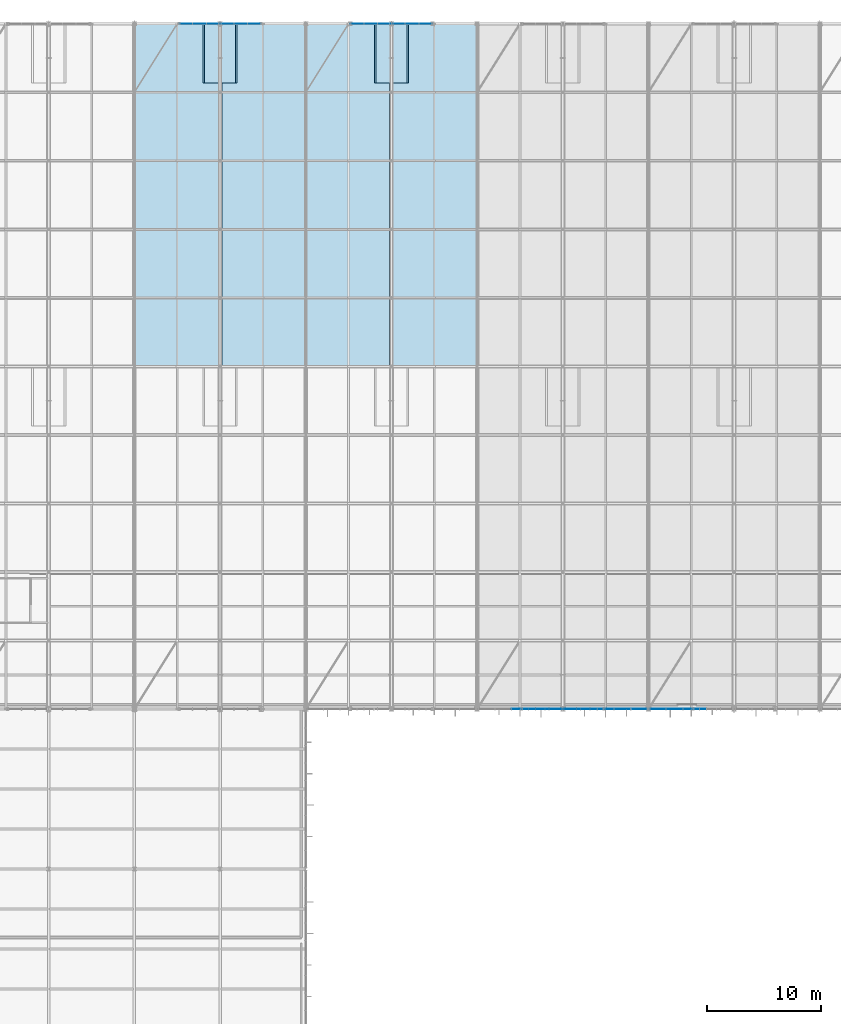
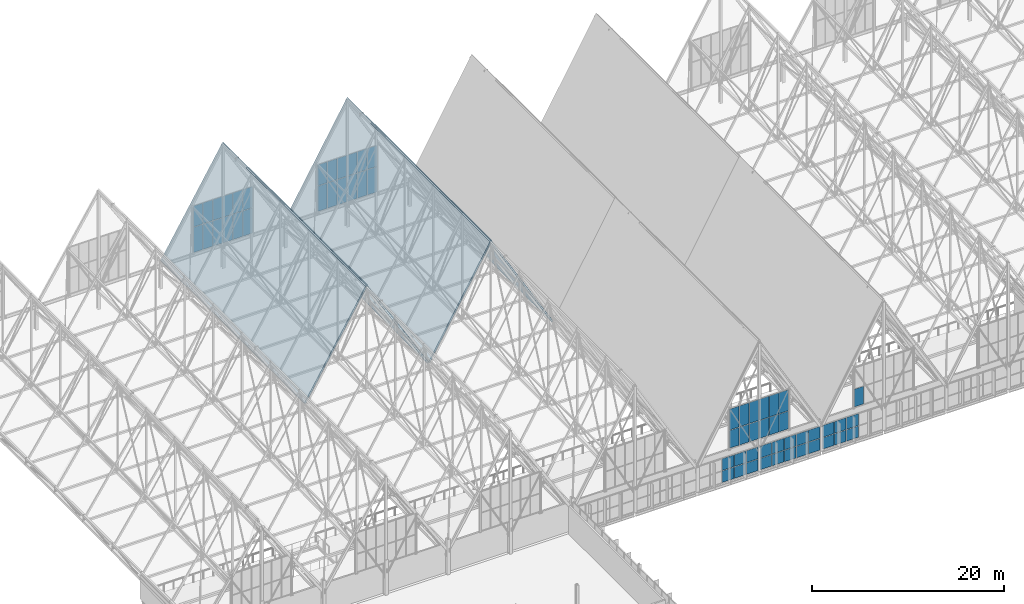
# One storey, part 275 of 324: 63 plates, 4 slabs, 7 elements without a shape of their own.
"""IFC4 building model written with IfcOpenShell, lengths in metres."""

import ifcopenshell
import ifcopenshell.guid

model = None  # the IFC model being written
_history = None  # IfcOwnerHistory: only IFC2X3 demands one
_inside = {}  # id of a spatial element -> (the spatial element, [elements in it])
_under = {}  # id of a project, library or spatial element -> (it, [spatial elements below it])
_declared = {}  # id of a project -> (the project, [libraries it declares])
_typed = {}  # id of a type object -> (the type object, [elements of that type])
_made_of = {}  # id of a material, layer set ... -> (it, [elements and type objects made of it])


def new_model(schema):
    """Start an empty IFC model of exactly this schema.

    Asked for "IFC4X3", IfcOpenShell would pick the latest addendum, in which some entities
    have other attributes; the version numbers below select the first issue.
    IFC2X3 requires an IfcOwnerHistory on every rooted entity: one is made here for all.
    """
    global model, _history
    if schema == "IFC4X3":
        model = ifcopenshell.file(schema_version=(4, 3, 0, 0))
    else:
        model = ifcopenshell.file(schema=schema)
    _inside.clear()
    _under.clear()
    _declared.clear()
    _typed.clear()
    _made_of.clear()
    _history = None
    if model.schema == "IFC2X3":
        org = make("IfcOrganization", Name="unknown")
        user = make(
            "IfcPersonAndOrganization",
            ThePerson=make("IfcPerson", FamilyName="unknown"),
            TheOrganization=org,
        )
        app = make(
            "IfcApplication",
            ApplicationDeveloper=org,
            Version="unknown",
            ApplicationFullName="unknown",
            ApplicationIdentifier="unknown",
        )
        _history = make(
            "IfcOwnerHistory",
            OwningUser=user,
            OwningApplication=app,
            ChangeAction="ADDED",
            CreationDate=0,
        )
    return model


def make(cls, **values):
    """One entity of the class cls with the attributes given. An attribute that is None is left unset."""
    return model.create_entity(
        cls, **{name: value for name, value in values.items() if value is not None}
    )


def rooted(cls, **values):
    """An entity with a GlobalId (a new one), such as an element, a storey or a relation."""
    return make(cls, GlobalId=ifcopenshell.guid.new(), OwnerHistory=_history, **values)


def si_unit(unit_type, name, prefix=None):
    """IfcSIUnit, for example si_unit("LENGTHUNIT", "METRE", prefix="MILLI")."""
    return make("IfcSIUnit", UnitType=unit_type, Prefix=prefix, Name=name)


def assignment(units):
    """IfcUnitAssignment: the units of a project."""
    return None if units is None else make("IfcUnitAssignment", Units=units)


def point(xyz):
    """IfcCartesianPoint."""
    return None if xyz is None else make("IfcCartesianPoint", Coordinates=xyz)


def direction(xyz):
    """IfcDirection."""
    return None if xyz is None else make("IfcDirection", DirectionRatios=xyz)


def frame(location, z_axis=None, x_axis=None):
    """IfcAxis2Placement3D, a coordinate frame: its origin and axes. An axis left out is left unset."""
    return make(
        "IfcAxis2Placement3D",
        Location=point(location),
        Axis=direction(z_axis),
        RefDirection=direction(x_axis),
    )


def frame_2d(location, x_axis=None):
    """IfcAxis2Placement2D, a coordinate frame in the plane: its origin and x axis."""
    return make(
        "IfcAxis2Placement2D", Location=point(location), RefDirection=direction(x_axis)
    )


def origin():
    """The frame at (0, 0, 0) with its axes left unset."""
    return frame((0.0, 0.0, 0.0))


def origin_2d():
    """The frame at (0, 0) in the plane with its x axis left unset."""
    return frame_2d((0.0, 0.0))


def place(relative_to, where):
    """IfcLocalPlacement: puts the frame where relative to a parent placement (None: the world)."""
    return make(
        "IfcLocalPlacement", PlacementRelTo=relative_to, RelativePlacement=where
    )


def context(
    kind, dimensions, precision=None, world=None, true_north=None, identifier=None
):
    """IfcGeometricRepresentationContext, for example the 3D "Model" context."""
    return make(
        "IfcGeometricRepresentationContext",
        ContextIdentifier=identifier,
        ContextType=kind,
        CoordinateSpaceDimension=dimensions,
        Precision=precision,
        WorldCoordinateSystem=world,
        TrueNorth=true_north,
    )


def subcontext(parent, identifier, kind, view, scale=None):
    """IfcGeometricRepresentationSubContext, for example "Body" below "Model"."""
    return make(
        "IfcGeometricRepresentationSubContext",
        ContextIdentifier=identifier,
        ContextType=kind,
        ParentContext=parent,
        TargetScale=scale,
        TargetView=view,
    )


def project(units=None, contexts=None):
    """IfcProject with its units and contexts."""
    return rooted(
        "IfcProject",
        Name="project",
        RepresentationContexts=contexts,
        UnitsInContext=assignment(units),
    )


def spatial(cls, under=None, at=None, **own):
    """A site, building, storey or space (cls), placed at a placement, below another one or the project."""
    s = rooted(cls, ObjectPlacement=at, **own)
    if under is not None:
        _under.setdefault(under.id(), (under, []))[1].append(s)
    return s


def polyline(points):
    """IfcPolyline through the points."""
    return make("IfcPolyline", Points=[point(p) for p in points])


def profile(cls, at=None, kind="AREA", **sizes):
    """A parametric profile (cls). Its sizes go by their IFC names, for example OverallWidth=200.0."""
    return make(cls, ProfileType=kind, Position=at, **sizes)


def rectangle(**sizes):
    """IfcRectangleProfileDef."""
    return profile("IfcRectangleProfileDef", **sizes)


def outline(outer, holes=None, kind="AREA"):
    """IfcArbitraryClosedProfileDef: a profile drawn as a closed curve; with holes, ...WithVoids."""
    if holes is None:
        return make("IfcArbitraryClosedProfileDef", ProfileType=kind, OuterCurve=outer)
    return make(
        "IfcArbitraryProfileDefWithVoids",
        ProfileType=kind,
        OuterCurve=outer,
        InnerCurves=holes,
    )


def extrude(swept, where, along, depth):
    """IfcExtrudedAreaSolid: the profile swept, set in the frame where, extruded along a direction by depth."""
    return make(
        "IfcExtrudedAreaSolid",
        SweptArea=swept,
        Position=where,
        ExtrudedDirection=direction(along),
        Depth=depth,
    )


def shape(context_of_items, identifier, shape_type, items):
    """IfcShapeRepresentation: the items that make up one representation, for example the "Body"."""
    return make(
        "IfcShapeRepresentation",
        ContextOfItems=context_of_items,
        RepresentationIdentifier=identifier,
        RepresentationType=shape_type,
        Items=items,
    )


def material(Name=None, Category=None):
    """IfcMaterial."""
    return make("IfcMaterial", Name=Name, Category=Category)


def layer(
    of_material, thickness, ventilated=None, Name=None, Category=None, Priority=None
):
    """IfcMaterialLayer: one layer of a wall or slab, of a material (None: an air gap)."""
    return make(
        "IfcMaterialLayer",
        Material=of_material,
        LayerThickness=thickness,
        IsVentilated=ventilated,
        Name=Name,
        Category=Category,
        Priority=Priority,
    )


def layer_set(layers, Name=None):
    """IfcMaterialLayerSet."""
    return make("IfcMaterialLayerSet", MaterialLayers=layers, LayerSetName=Name)


def made_of(thing, what):
    """Note that an element or type object is made of a material, layer set ...; save() writes the relation."""
    if what is not None:
        _made_of.setdefault(what.id(), (what, []))[1].append(thing)
    return thing


def type_object(cls, material=None, **own):
    """A type object (cls), such as IfcWallType, which elements share."""
    return made_of(rooted(cls, **own), material)


def element(
    cls,
    number,
    at=None,
    inside=None,
    cuts=None,
    type_object=None,
    material=None,
    context=None,
    identifier="Body",
    shape_type=None,
    held_by="IfcProductDefinitionShape",
    body=None,
    shapes=None,
    **own,
):
    """One element of the class cls, such as IfcWall. Its Tag is "e" and its number.

    at: its placement. inside: the storey or other place that contains it. cuts: it is an
    opening in that element (IfcRelVoidsElement). A single representation is given by context,
    identifier, shape_type and body (its items); several are given by shapes. held_by: the class
    of the entity that holds the representations. save() writes the other relations.
    """
    e = rooted(cls, Tag="e%d" % number, ObjectPlacement=at, **own)
    if body is not None:
        shapes = [shape(context, identifier, shape_type, body)]
    if shapes is not None:
        e.Representation = make(held_by, Representations=shapes)
    if inside is not None:
        _inside.setdefault(inside.id(), (inside, []))[1].append(e)
    if cuts is not None:
        rooted(
            "IfcRelVoidsElement", RelatingBuildingElement=cuts, RelatedOpeningElement=e
        )
    if type_object is not None:
        _typed.setdefault(type_object.id(), (type_object, []))[1].append(e)
    return made_of(e, material)


def aggregate(whole, parts):
    """IfcRelAggregates: a whole, such as a stair, and the parts it consists of."""
    return rooted("IfcRelAggregates", RelatingObject=whole, RelatedObjects=parts)


def save(model, path):
    """Write the relations noted so far, then the file.

    IfcRelAggregates (storeys below a building ...), IfcRelContainedInSpatialStructure (elements
    in a storey), IfcRelDefinesByType, IfcRelAssociatesMaterial and IfcRelDeclares: one each for
    every whole, place, type object, material and project.
    """
    for whole, parts in _under.values():
        aggregate(whole, parts)
    for where, things in _inside.values():
        rooted(
            "IfcRelContainedInSpatialStructure",
            RelatedElements=things,
            RelatingStructure=where,
        )
    for kind, things in _typed.values():
        rooted("IfcRelDefinesByType", RelatedObjects=things, RelatingType=kind)
    for what, things in _made_of.values():
        rooted("IfcRelAssociatesMaterial", RelatedObjects=things, RelatingMaterial=what)
    for by, libraries in _declared.values():
        rooted("IfcRelDeclares", RelatingContext=by, RelatedDefinitions=libraries)
    model.write(path)


model = new_model("IFC4")

# Units and contexts
model_context = context("Model", 3, precision=1e-05, world=origin(), true_north=direction((0.0, 1.0)))
body_context = subcontext(model_context, "Body", "Model", "MODEL_VIEW")
ifc_project = project(units=[si_unit("LENGTHUNIT", "METRE"), si_unit("AREAUNIT", "SQUARE_METRE"), si_unit("VOLUMEUNIT", "CUBIC_METRE"), si_unit("PLANEANGLEUNIT", "RADIAN"), si_unit("MASSUNIT", "GRAM", prefix="KILO")], contexts=[model_context])

# Site, building, storey
site_placement = place(None, origin())
site = spatial("IfcSite", under=ifc_project, at=site_placement, CompositionType="ELEMENT")
building_placement = place(site_placement, origin())
building = spatial("IfcBuilding", under=site, at=building_placement, Name="Solvenia Promenade Tram Depot", CompositionType="ELEMENT")
storey_placement = place(building_placement, frame((0.0, 0.0, 4.5)))
storey = spatial("IfcBuildingStorey", under=building, at=storey_placement, Name="L01", CompositionType="ELEMENT", Elevation=4.5)

# Curtain wall, plates
ifc_material_1 = material(Name="Anodized aluminium AW-6063 T6", Category="aluminium")
ifc_layer_1 = layer(ifc_material_1, 0.159912109375, Name="Anodized aluminium AW-6063 T6", Category="aluminium")
ifc_layer_set_1 = layer_set([ifc_layer_1], Name="Anodized aluminium AW-6063 T6")
curtain_wall_type_1 = type_object("IfcCurtainWallType", Name="CW-Channel-1500", PredefinedType="NOTDEFINED", material=ifc_layer_set_1)
curtain_wall_1_placement = place(storey_placement, origin())
curtain_wall_1 = element("IfcCurtainWall", 1, at=curtain_wall_1_placement, inside=storey, type_object=curtain_wall_type_1, Name="Curtain Wall CW-V1S1-03", PredefinedType="NOTDEFINED")
ifc_material_2 = material(Name="Low-iron translucent U-profile channel glass", Category="glass")
ifc_layer_2 = layer(ifc_material_2, 0.028076171875, Name="Low-iron translucent U-profile channel glass", Category="glass")
ifc_layer_set_2 = layer_set([ifc_layer_2], Name="Low-iron translucent U-profile channel glass")
plate_type_1 = type_object("IfcPlateType", Name="CWP-Panel-1", PredefinedType="CURTAIN_PANEL", material=ifc_layer_set_2)
plate_1_placement = place(storey_placement, frame((63.75, 66.0, 0.06494140625), z_axis=(0.0, 0.0, 1.0), x_axis=(1.0, 0.0, 0.0)))
plate_1 = element("IfcPlate", 2, at=plate_1_placement, type_object=plate_type_1, Name="CW-2 panel 3.1", PredefinedType="CURTAIN_PANEL", context=body_context, shape_type="SweptSolid", body=[
    extrude(rectangle(XDim=1.41796875, YDim=0.028076171875, at=origin_2d()), origin(), (0.0, 0.0, 1.0), 1.452392578125),
])
plate_2_placement = place(storey_placement, frame((63.75, 66.0, 1.58251953125), z_axis=(0.0, 0.0, 1.0), x_axis=(1.0, 0.0, 0.0)))
plate_2 = element("IfcPlate", 3, at=plate_2_placement, type_object=plate_type_1, Name="CW-2 panel 3.2", PredefinedType="CURTAIN_PANEL", context=body_context, shape_type="SweptSolid", body=[
    extrude(rectangle(XDim=1.41796875, YDim=0.028076171875, at=origin_2d()), origin(), (0.0, 0.0, 1.0), 1.50244140625),
])
plate_3_placement = place(storey_placement, frame((65.218017578125, 66.0, 0.06494140625), z_axis=(0.0, 0.0, 1.0), x_axis=(1.0, 0.0, 0.0)))
plate_3 = element("IfcPlate", 4, at=plate_3_placement, type_object=plate_type_1, Name="CW-2 panel 4.1", PredefinedType="CURTAIN_PANEL", context=body_context, shape_type="SweptSolid", body=[
    extrude(rectangle(XDim=1.41796875, YDim=0.028076171875, at=origin_2d()), origin(), (0.0, 0.0, 1.0), 1.452392578125),
])
plate_4_placement = place(storey_placement, frame((65.218017578125, 66.0, 1.58251953125), z_axis=(0.0, 0.0, 1.0), x_axis=(1.0, 0.0, 0.0)))
plate_4 = element("IfcPlate", 5, at=plate_4_placement, type_object=plate_type_1, Name="CW-2 panel 4.2", PredefinedType="CURTAIN_PANEL", context=body_context, shape_type="SweptSolid", body=[
    extrude(rectangle(XDim=1.41796875, YDim=0.028076171875, at=origin_2d()), origin(), (0.0, 0.0, 1.0), 1.50244140625),
])
plate_5_placement = place(storey_placement, frame((66.673583984375, 66.0, 0.06494140625), z_axis=(0.0, 0.0, 1.0), x_axis=(1.0, 0.0, 0.0)))
plate_5 = element("IfcPlate", 6, at=plate_5_placement, type_object=plate_type_1, Name="CW-2 panel 5.1", PredefinedType="CURTAIN_PANEL", context=body_context, shape_type="SweptSolid", body=[
    extrude(rectangle(XDim=1.39306640625, YDim=0.028076171875, at=origin_2d()), origin(), (0.0, 0.0, 1.0), 1.452392578125),
])
plate_6_placement = place(storey_placement, frame((66.673583984375, 66.0, 1.58251953125), z_axis=(0.0, 0.0, 1.0), x_axis=(1.0, 0.0, 0.0)))
plate_6 = element("IfcPlate", 7, at=plate_6_placement, type_object=plate_type_1, Name="CW-2 panel 5.2", PredefinedType="CURTAIN_PANEL", context=body_context, shape_type="SweptSolid", body=[
    extrude(rectangle(XDim=1.39306640625, YDim=0.028076171875, at=origin_2d()), origin(), (0.0, 0.0, 1.0), 1.50244140625),
])
aggregate(curtain_wall_1, [plate_1, plate_2, plate_3, plate_4, plate_5, plate_6])

curtain_wall_2_placement = place(storey_placement, origin())
curtain_wall_2 = element("IfcCurtainWall", 8, at=curtain_wall_2_placement, inside=storey, type_object=curtain_wall_type_1, Name="Curtain Wall CW-V1S1-04", PredefinedType="NOTDEFINED")
plate_7_placement = place(storey_placement, frame((68.326416015625, 66.0, 0.06494140625), z_axis=(0.0, 0.0, 1.0), x_axis=(1.0, 0.0, 0.0)))
plate_7 = element("IfcPlate", 9, at=plate_7_placement, type_object=plate_type_1, Name="CW-2 panel 1.1", PredefinedType="CURTAIN_PANEL", context=body_context, shape_type="SweptSolid", body=[
    extrude(rectangle(XDim=1.39306640625, YDim=0.028076171875, at=origin_2d()), origin(), (0.0, 0.0, 1.0), 1.452392578125),
])
plate_8_placement = place(storey_placement, frame((68.326416015625, 66.0, 1.58251953125), z_axis=(0.0, 0.0, 1.0), x_axis=(1.0, 0.0, 0.0)))
plate_8 = element("IfcPlate", 10, at=plate_8_placement, type_object=plate_type_1, Name="CW-2 panel 1.2", PredefinedType="CURTAIN_PANEL", context=body_context, shape_type="SweptSolid", body=[
    extrude(rectangle(XDim=1.39306640625, YDim=0.028076171875, at=origin_2d()), origin(), (0.0, 0.0, 1.0), 1.50244140625),
])
plate_9_placement = place(storey_placement, frame((69.781982421875, 66.0, 0.06494140625), z_axis=(0.0, 0.0, 1.0), x_axis=(1.0, 0.0, 0.0)))
plate_9 = element("IfcPlate", 11, at=plate_9_placement, type_object=plate_type_1, Name="CW-2 panel 2.1", PredefinedType="CURTAIN_PANEL", context=body_context, shape_type="SweptSolid", body=[
    extrude(rectangle(XDim=1.41796875, YDim=0.028076171875, at=origin_2d()), origin(), (0.0, 0.0, 1.0), 1.452392578125),
])
plate_10_placement = place(storey_placement, frame((69.781982421875, 66.0, 1.58251953125), z_axis=(0.0, 0.0, 1.0), x_axis=(1.0, 0.0, 0.0)))
plate_10 = element("IfcPlate", 12, at=plate_10_placement, type_object=plate_type_1, Name="CW-2 panel 2.2", PredefinedType="CURTAIN_PANEL", context=body_context, shape_type="SweptSolid", body=[
    extrude(rectangle(XDim=1.41796875, YDim=0.028076171875, at=origin_2d()), origin(), (0.0, 0.0, 1.0), 1.50244140625),
])
plate_11_placement = place(storey_placement, frame((71.25, 66.0, 0.06494140625), z_axis=(0.0, 0.0, 1.0), x_axis=(1.0, 0.0, 0.0)))
plate_11 = element("IfcPlate", 13, at=plate_11_placement, type_object=plate_type_1, Name="CW-2 panel 3.1", PredefinedType="CURTAIN_PANEL", context=body_context, shape_type="SweptSolid", body=[
    extrude(rectangle(XDim=1.41796875, YDim=0.028076171875, at=origin_2d()), origin(), (0.0, 0.0, 1.0), 1.452392578125),
])
plate_12_placement = place(storey_placement, frame((71.25, 66.0, 1.58251953125), z_axis=(0.0, 0.0, 1.0), x_axis=(1.0, 0.0, 0.0)))
plate_12 = element("IfcPlate", 14, at=plate_12_placement, type_object=plate_type_1, Name="CW-2 panel 3.2", PredefinedType="CURTAIN_PANEL", context=body_context, shape_type="SweptSolid", body=[
    extrude(rectangle(XDim=1.41796875, YDim=0.028076171875, at=origin_2d()), origin(), (0.0, 0.0, 1.0), 1.50244140625),
])
plate_13_placement = place(storey_placement, frame((72.718017578125, 66.0, 0.06494140625), z_axis=(0.0, 0.0, 1.0), x_axis=(1.0, 0.0, 0.0)))
plate_13 = element("IfcPlate", 15, at=plate_13_placement, type_object=plate_type_1, Name="CW-2 panel 4.1", PredefinedType="CURTAIN_PANEL", context=body_context, shape_type="SweptSolid", body=[
    extrude(rectangle(XDim=1.41796875, YDim=0.028076171875, at=origin_2d()), origin(), (0.0, 0.0, 1.0), 1.452392578125),
])
plate_14_placement = place(storey_placement, frame((72.718017578125, 66.0, 1.58251953125), z_axis=(0.0, 0.0, 1.0), x_axis=(1.0, 0.0, 0.0)))
plate_14 = element("IfcPlate", 16, at=plate_14_placement, type_object=plate_type_1, Name="CW-2 panel 4.2", PredefinedType="CURTAIN_PANEL", context=body_context, shape_type="SweptSolid", body=[
    extrude(rectangle(XDim=1.41796875, YDim=0.028076171875, at=origin_2d()), origin(), (0.0, 0.0, 1.0), 1.50244140625),
])
plate_15_placement = place(storey_placement, frame((74.173583984375, 66.0, 0.06494140625), z_axis=(0.0, 0.0, 1.0), x_axis=(1.0, 0.0, 0.0)))
plate_15 = element("IfcPlate", 17, at=plate_15_placement, type_object=plate_type_1, Name="CW-2 panel 5.1", PredefinedType="CURTAIN_PANEL", context=body_context, shape_type="SweptSolid", body=[
    extrude(rectangle(XDim=1.39306640625, YDim=0.028076171875, at=origin_2d()), origin(), (0.0, 0.0, 1.0), 1.452392578125),
])
plate_16_placement = place(storey_placement, frame((74.173583984375, 66.0, 1.58251953125), z_axis=(0.0, 0.0, 1.0), x_axis=(1.0, 0.0, 0.0)))
plate_16 = element("IfcPlate", 18, at=plate_16_placement, type_object=plate_type_1, Name="CW-2 panel 5.2", PredefinedType="CURTAIN_PANEL", context=body_context, shape_type="SweptSolid", body=[
    extrude(rectangle(XDim=1.39306640625, YDim=0.028076171875, at=origin_2d()), origin(), (0.0, 0.0, 1.0), 1.50244140625),
])
aggregate(curtain_wall_2, [plate_7, plate_8, plate_9, plate_10, plate_11, plate_12, plate_13, plate_14, plate_15, plate_16])

curtain_wall_3_placement = place(storey_placement, origin())
curtain_wall_3 = element("IfcCurtainWall", 19, at=curtain_wall_3_placement, inside=storey, type_object=curtain_wall_type_1, Name="Curtain Wall CW-V1S1-05", PredefinedType="NOTDEFINED")
plate_17_placement = place(storey_placement, frame((75.826416015625, 66.0, 0.06494140625), z_axis=(0.0, 0.0, 1.0), x_axis=(1.0, 0.0, 0.0)))
plate_17 = element("IfcPlate", 20, at=plate_17_placement, type_object=plate_type_1, Name="CW-2 panel 1.1", PredefinedType="CURTAIN_PANEL", context=body_context, shape_type="SweptSolid", body=[
    extrude(rectangle(XDim=1.39306640625, YDim=0.028076171875, at=origin_2d()), origin(), (0.0, 0.0, 1.0), 1.452392578125),
])
plate_18_placement = place(storey_placement, frame((75.826416015625, 66.0, 1.58251953125), z_axis=(0.0, 0.0, 1.0), x_axis=(1.0, 0.0, 0.0)))
plate_18 = element("IfcPlate", 21, at=plate_18_placement, type_object=plate_type_1, Name="CW-2 panel 1.2", PredefinedType="CURTAIN_PANEL", context=body_context, shape_type="SweptSolid", body=[
    extrude(rectangle(XDim=1.39306640625, YDim=0.028076171875, at=origin_2d()), origin(), (0.0, 0.0, 1.0), 1.50244140625),
])
plate_19_placement = place(storey_placement, frame((77.281982421875, 66.0, 0.06494140625), z_axis=(0.0, 0.0, 1.0), x_axis=(1.0, 0.0, 0.0)))
plate_19 = element("IfcPlate", 22, at=plate_19_placement, type_object=plate_type_1, Name="CW-2 panel 2.1", PredefinedType="CURTAIN_PANEL", context=body_context, shape_type="SweptSolid", body=[
    extrude(rectangle(XDim=1.41796875, YDim=0.028076171875, at=origin_2d()), origin(), (0.0, 0.0, 1.0), 1.452392578125),
])
plate_20_placement = place(storey_placement, frame((77.281982421875, 66.0, 1.58251953125), z_axis=(0.0, 0.0, 1.0), x_axis=(1.0, 0.0, 0.0)))
plate_20 = element("IfcPlate", 23, at=plate_20_placement, type_object=plate_type_1, Name="CW-2 panel 2.2", PredefinedType="CURTAIN_PANEL", context=body_context, shape_type="SweptSolid", body=[
    extrude(rectangle(XDim=1.41796875, YDim=0.028076171875, at=origin_2d()), origin(), (0.0, 0.0, 1.0), 1.50244140625),
])
plate_21_placement = place(storey_placement, frame((78.75, 66.0, 0.06494140625), z_axis=(0.0, 0.0, 1.0), x_axis=(1.0, 0.0, 0.0)))
plate_21 = element("IfcPlate", 24, at=plate_21_placement, type_object=plate_type_1, Name="CW-2 panel 3.1", PredefinedType="CURTAIN_PANEL", context=body_context, shape_type="SweptSolid", body=[
    extrude(rectangle(XDim=1.41796875, YDim=0.028076171875, at=origin_2d()), origin(), (0.0, 0.0, 1.0), 1.452392578125),
])
plate_22_placement = place(storey_placement, frame((78.75, 66.0, 1.58251953125), z_axis=(0.0, 0.0, 1.0), x_axis=(1.0, 0.0, 0.0)))
plate_22 = element("IfcPlate", 25, at=plate_22_placement, type_object=plate_type_1, Name="CW-2 panel 3.2", PredefinedType="CURTAIN_PANEL", context=body_context, shape_type="SweptSolid", body=[
    extrude(rectangle(XDim=1.41796875, YDim=0.028076171875, at=origin_2d()), origin(), (0.0, 0.0, 1.0), 1.50244140625),
])
aggregate(curtain_wall_3, [plate_17, plate_18, plate_19, plate_20, plate_21, plate_22])

ifc_layer_3 = layer(ifc_material_1, 0.14990234375, Name="Anodized aluminium AW-6063 T6", Category="aluminium")
ifc_layer_set_3 = layer_set([ifc_layer_3], Name="Anodized aluminium AW-6063 T6")
curtain_wall_type_2 = type_object("IfcCurtainWallType", Name="CW-Gable-1200", PredefinedType="NOTDEFINED", material=ifc_layer_set_3)
curtain_wall_4_placement = place(storey_placement, origin())
curtain_wall_4 = element("IfcCurtainWall", 26, at=curtain_wall_4_placement, inside=storey, type_object=curtain_wall_type_2, Name="South Zigzag Gable 05 Peak Glazing", PredefinedType="NOTDEFINED")
plate_23_placement = place(storey_placement, frame((64.511962890625, 66.0, 4.10791015625), z_axis=(0.0, 0.0, 1.0), x_axis=(1.0, 0.0, 0.0)))
plate_23 = element("IfcPlate", 27, at=plate_23_placement, type_object=plate_type_1, Name="CW-3 panel 1.1", PredefinedType="CURTAIN_PANEL", context=body_context, shape_type="SweptSolid", body=[
    extrude(rectangle(XDim=1.1279296875, YDim=0.028076171875, at=origin_2d()), origin(), (0.0, 0.0, 1.0), 2.262939453125),
])
plate_24_placement = place(storey_placement, frame((64.511962890625, 66.0, 6.428955078125), z_axis=(0.0, 0.0, 1.0), x_axis=(1.0, 0.0, 0.0)))
plate_24 = element("IfcPlate", 28, at=plate_24_placement, type_object=plate_type_1, Name="CW-3 panel 1.2", PredefinedType="CURTAIN_PANEL", context=body_context, shape_type="SweptSolid", body=[
    extrude(rectangle(XDim=1.1279296875, YDim=0.028076171875, at=origin_2d()), origin(), (0.0, 0.0, 1.0), 2.6630859375),
])
plate_25_placement = place(storey_placement, frame((65.699951171875, 66.0, 4.10791015625), z_axis=(0.0, 0.0, 1.0), x_axis=(1.0, 0.0, 0.0)))
plate_25 = element("IfcPlate", 29, at=plate_25_placement, type_object=plate_type_1, Name="CW-3 panel 2.1", PredefinedType="CURTAIN_PANEL", context=body_context, shape_type="SweptSolid", body=[
    extrude(rectangle(XDim=1.152099609375, YDim=0.028076171875, at=origin_2d()), origin(), (0.0, 0.0, 1.0), 2.262939453125),
])
plate_26_placement = place(storey_placement, frame((65.699951171875, 66.0, 6.428955078125), z_axis=(0.0, 0.0, 1.0), x_axis=(1.0, 0.0, 0.0)))
plate_26 = element("IfcPlate", 30, at=plate_26_placement, type_object=plate_type_1, Name="CW-3 panel 2.2", PredefinedType="CURTAIN_PANEL", context=body_context, shape_type="SweptSolid", body=[
    extrude(rectangle(XDim=1.152099609375, YDim=0.028076171875, at=origin_2d()), origin(), (0.0, 0.0, 1.0), 2.6630859375),
])
plate_27_placement = place(storey_placement, frame((66.89990234375, 66.0, 4.10791015625), z_axis=(0.0, 0.0, 1.0), x_axis=(1.0, 0.0, 0.0)))
plate_27 = element("IfcPlate", 31, at=plate_27_placement, type_object=plate_type_1, Name="CW-3 panel 3.1", PredefinedType="CURTAIN_PANEL", context=body_context, shape_type="SweptSolid", body=[
    extrude(rectangle(XDim=1.152099609375, YDim=0.028076171875, at=origin_2d()), origin(), (0.0, 0.0, 1.0), 2.262939453125),
])
plate_28_placement = place(storey_placement, frame((66.89990234375, 66.0, 6.428955078125), z_axis=(0.0, 0.0, 1.0), x_axis=(1.0, 0.0, 0.0)))
plate_28 = element("IfcPlate", 32, at=plate_28_placement, type_object=plate_type_1, Name="CW-3 panel 3.2", PredefinedType="CURTAIN_PANEL", context=body_context, shape_type="SweptSolid", body=[
    extrude(rectangle(XDim=1.152099609375, YDim=0.028076171875, at=origin_2d()), origin(), (0.0, 0.0, 1.0), 2.6630859375),
])
plate_29_placement = place(storey_placement, frame((68.10009765625, 66.0, 4.10791015625), z_axis=(0.0, 0.0, 1.0), x_axis=(1.0, 0.0, 0.0)))
plate_29 = element("IfcPlate", 33, at=plate_29_placement, type_object=plate_type_1, Name="CW-3 panel 4.1", PredefinedType="CURTAIN_PANEL", context=body_context, shape_type="SweptSolid", body=[
    extrude(rectangle(XDim=1.152099609375, YDim=0.028076171875, at=origin_2d()), origin(), (0.0, 0.0, 1.0), 2.262939453125),
])
plate_30_placement = place(storey_placement, frame((68.10009765625, 66.0, 6.428955078125), z_axis=(0.0, 0.0, 1.0), x_axis=(1.0, 0.0, 0.0)))
plate_30 = element("IfcPlate", 34, at=plate_30_placement, type_object=plate_type_1, Name="CW-3 panel 4.2", PredefinedType="CURTAIN_PANEL", context=body_context, shape_type="SweptSolid", body=[
    extrude(rectangle(XDim=1.152099609375, YDim=0.028076171875, at=origin_2d()), origin(), (0.0, 0.0, 1.0), 2.6630859375),
])
plate_31_placement = place(storey_placement, frame((69.300048828125, 66.0, 4.10791015625), z_axis=(0.0, 0.0, 1.0), x_axis=(1.0, 0.0, 0.0)))
plate_31 = element("IfcPlate", 35, at=plate_31_placement, type_object=plate_type_1, Name="CW-3 panel 5.1", PredefinedType="CURTAIN_PANEL", context=body_context, shape_type="SweptSolid", body=[
    extrude(rectangle(XDim=1.152099609375, YDim=0.028076171875, at=origin_2d()), origin(), (0.0, 0.0, 1.0), 2.262939453125),
])
plate_32_placement = place(storey_placement, frame((69.300048828125, 66.0, 6.428955078125), z_axis=(0.0, 0.0, 1.0), x_axis=(1.0, 0.0, 0.0)))
plate_32 = element("IfcPlate", 36, at=plate_32_placement, type_object=plate_type_1, Name="CW-3 panel 5.2", PredefinedType="CURTAIN_PANEL", context=body_context, shape_type="SweptSolid", body=[
    extrude(rectangle(XDim=1.152099609375, YDim=0.028076171875, at=origin_2d()), origin(), (0.0, 0.0, 1.0), 2.6630859375),
])
plate_33_placement = place(storey_placement, frame((70.488037109375, 66.0, 4.10791015625), z_axis=(0.0, 0.0, 1.0), x_axis=(1.0, 0.0, 0.0)))
plate_33 = element("IfcPlate", 37, at=plate_33_placement, type_object=plate_type_1, Name="CW-3 panel 6.1", PredefinedType="CURTAIN_PANEL", context=body_context, shape_type="SweptSolid", body=[
    extrude(rectangle(XDim=1.1279296875, YDim=0.028076171875, at=origin_2d()), origin(), (0.0, 0.0, 1.0), 2.262939453125),
])
plate_34_placement = place(storey_placement, frame((70.488037109375, 66.0, 6.428955078125), z_axis=(0.0, 0.0, 1.0), x_axis=(1.0, 0.0, 0.0)))
plate_34 = element("IfcPlate", 38, at=plate_34_placement, type_object=plate_type_1, Name="CW-3 panel 6.2", PredefinedType="CURTAIN_PANEL", context=body_context, shape_type="SweptSolid", body=[
    extrude(rectangle(XDim=1.1279296875, YDim=0.028076171875, at=origin_2d()), origin(), (0.0, 0.0, 1.0), 2.6630859375),
])
aggregate(curtain_wall_4, [plate_23, plate_24, plate_25, plate_26, plate_27, plate_28, plate_29, plate_30, plate_31, plate_32, plate_33, plate_34])

# Curtain wall, plate
curtain_wall_5_placement = place(storey_placement, origin())
curtain_wall_5 = element("IfcCurtainWall", 39, at=curtain_wall_5_placement, inside=storey, type_object=curtain_wall_type_2, Name="South Zigzag Gable 06 Peak Glazing", PredefinedType="NOTDEFINED")
plate_35_placement = place(storey_placement, frame((79.511962890625, 66.0, 4.10791015625), z_axis=(0.0, 0.0, 1.0), x_axis=(1.0, 0.0, 0.0)))
plate_35 = element("IfcPlate", 40, at=plate_35_placement, type_object=plate_type_1, Name="CW-3 panel 1.1", PredefinedType="CURTAIN_PANEL", context=body_context, shape_type="SweptSolid", body=[
    extrude(rectangle(XDim=1.1279296875, YDim=0.028076171875, at=origin_2d()), origin(), (0.0, 0.0, 1.0), 2.262939453125),
])
aggregate(curtain_wall_5, [plate_35])

# Curtain wall, plates
curtain_wall_6_placement = place(storey_placement, origin())
curtain_wall_6 = element("IfcCurtainWall", 41, at=curtain_wall_6_placement, inside=storey, type_object=curtain_wall_type_2, Name="North Zigzag Gable 03 Peak Glazing", PredefinedType="NOTDEFINED")
plate_36_placement = place(storey_placement, frame((34.511962890625, 126.0, 3.157958984375), z_axis=(0.0, 0.0, 1.0), x_axis=(1.0, 0.0, 0.0)))
plate_36 = element("IfcPlate", 42, at=plate_36_placement, type_object=plate_type_1, Name="CW-3 panel 1.1", PredefinedType="CURTAIN_PANEL", context=body_context, shape_type="SweptSolid", body=[
    extrude(rectangle(XDim=1.1279296875, YDim=0.028076171875, at=origin_2d()), origin(), (0.0, 0.0, 1.0), 3.212890625),
])
plate_37_placement = place(storey_placement, frame((34.511962890625, 126.0, 6.428955078125), z_axis=(0.0, 0.0, 1.0), x_axis=(1.0, 0.0, 0.0)))
plate_37 = element("IfcPlate", 43, at=plate_37_placement, type_object=plate_type_1, Name="CW-3 panel 1.2", PredefinedType="CURTAIN_PANEL", context=body_context, shape_type="SweptSolid", body=[
    extrude(rectangle(XDim=1.1279296875, YDim=0.028076171875, at=origin_2d()), origin(), (0.0, 0.0, 1.0), 2.6630859375),
])
plate_38_placement = place(storey_placement, frame((35.699951171875, 126.0, 3.157958984375), z_axis=(0.0, 0.0, 1.0), x_axis=(1.0, 0.0, 0.0)))
plate_38 = element("IfcPlate", 44, at=plate_38_placement, type_object=plate_type_1, Name="CW-3 panel 2.1", PredefinedType="CURTAIN_PANEL", context=body_context, shape_type="SweptSolid", body=[
    extrude(rectangle(XDim=1.152099609375, YDim=0.028076171875, at=origin_2d()), origin(), (0.0, 0.0, 1.0), 3.212890625),
])
plate_39_placement = place(storey_placement, frame((35.699951171875, 126.0, 6.428955078125), z_axis=(0.0, 0.0, 1.0), x_axis=(1.0, 0.0, 0.0)))
plate_39 = element("IfcPlate", 45, at=plate_39_placement, type_object=plate_type_1, Name="CW-3 panel 2.2", PredefinedType="CURTAIN_PANEL", context=body_context, shape_type="SweptSolid", body=[
    extrude(rectangle(XDim=1.152099609375, YDim=0.028076171875, at=origin_2d()), origin(), (0.0, 0.0, 1.0), 2.6630859375),
])
plate_40_placement = place(storey_placement, frame((36.89990234375, 126.0, 3.157958984375), z_axis=(0.0, 0.0, 1.0), x_axis=(1.0, 0.0, 0.0)))
plate_40 = element("IfcPlate", 46, at=plate_40_placement, type_object=plate_type_1, Name="CW-3 panel 3.1", PredefinedType="CURTAIN_PANEL", context=body_context, shape_type="SweptSolid", body=[
    extrude(rectangle(XDim=1.152099609375, YDim=0.028076171875, at=origin_2d()), origin(), (0.0, 0.0, 1.0), 3.212890625),
])
plate_41_placement = place(storey_placement, frame((36.89990234375, 126.0, 6.428955078125), z_axis=(0.0, 0.0, 1.0), x_axis=(1.0, 0.0, 0.0)))
plate_41 = element("IfcPlate", 47, at=plate_41_placement, type_object=plate_type_1, Name="CW-3 panel 3.2", PredefinedType="CURTAIN_PANEL", context=body_context, shape_type="SweptSolid", body=[
    extrude(rectangle(XDim=1.152099609375, YDim=0.028076171875, at=origin_2d()), origin(), (0.0, 0.0, 1.0), 2.6630859375),
])
plate_42_placement = place(storey_placement, frame((38.10009765625, 126.0, 3.157958984375), z_axis=(0.0, 0.0, 1.0), x_axis=(1.0, 0.0, 0.0)))
plate_42 = element("IfcPlate", 48, at=plate_42_placement, type_object=plate_type_1, Name="CW-3 panel 4.1", PredefinedType="CURTAIN_PANEL", context=body_context, shape_type="SweptSolid", body=[
    extrude(rectangle(XDim=1.152099609375, YDim=0.028076171875, at=origin_2d()), origin(), (0.0, 0.0, 1.0), 3.212890625),
])
plate_43_placement = place(storey_placement, frame((38.10009765625, 126.0, 6.428955078125), z_axis=(0.0, 0.0, 1.0), x_axis=(1.0, 0.0, 0.0)))
plate_43 = element("IfcPlate", 49, at=plate_43_placement, type_object=plate_type_1, Name="CW-3 panel 4.2", PredefinedType="CURTAIN_PANEL", context=body_context, shape_type="SweptSolid", body=[
    extrude(rectangle(XDim=1.152099609375, YDim=0.028076171875, at=origin_2d()), origin(), (0.0, 0.0, 1.0), 2.6630859375),
])
plate_44_placement = place(storey_placement, frame((39.300048828125, 126.0, 3.157958984375), z_axis=(0.0, 0.0, 1.0), x_axis=(1.0, 0.0, 0.0)))
plate_44 = element("IfcPlate", 50, at=plate_44_placement, type_object=plate_type_1, Name="CW-3 panel 5.1", PredefinedType="CURTAIN_PANEL", context=body_context, shape_type="SweptSolid", body=[
    extrude(rectangle(XDim=1.152099609375, YDim=0.028076171875, at=origin_2d()), origin(), (0.0, 0.0, 1.0), 3.212890625),
])
plate_45_placement = place(storey_placement, frame((39.300048828125, 126.0, 6.428955078125), z_axis=(0.0, 0.0, 1.0), x_axis=(1.0, 0.0, 0.0)))
plate_45 = element("IfcPlate", 51, at=plate_45_placement, type_object=plate_type_1, Name="CW-3 panel 5.2", PredefinedType="CURTAIN_PANEL", context=body_context, shape_type="SweptSolid", body=[
    extrude(rectangle(XDim=1.152099609375, YDim=0.028076171875, at=origin_2d()), origin(), (0.0, 0.0, 1.0), 2.6630859375),
])
plate_46_placement = place(storey_placement, frame((40.488037109375, 126.0, 3.157958984375), z_axis=(0.0, 0.0, 1.0), x_axis=(1.0, 0.0, 0.0)))
plate_46 = element("IfcPlate", 52, at=plate_46_placement, type_object=plate_type_1, Name="CW-3 panel 6.1", PredefinedType="CURTAIN_PANEL", context=body_context, shape_type="SweptSolid", body=[
    extrude(rectangle(XDim=1.1279296875, YDim=0.028076171875, at=origin_2d()), origin(), (0.0, 0.0, 1.0), 3.212890625),
])
plate_47_placement = place(storey_placement, frame((40.488037109375, 126.0, 6.428955078125), z_axis=(0.0, 0.0, 1.0), x_axis=(1.0, 0.0, 0.0)))
plate_47 = element("IfcPlate", 53, at=plate_47_placement, type_object=plate_type_1, Name="CW-3 panel 6.2", PredefinedType="CURTAIN_PANEL", context=body_context, shape_type="SweptSolid", body=[
    extrude(rectangle(XDim=1.1279296875, YDim=0.028076171875, at=origin_2d()), origin(), (0.0, 0.0, 1.0), 2.6630859375),
])
aggregate(curtain_wall_6, [plate_36, plate_37, plate_38, plate_39, plate_40, plate_41, plate_42, plate_43, plate_44, plate_45, plate_46, plate_47])

curtain_wall_7_placement = place(storey_placement, origin())
curtain_wall_7 = element("IfcCurtainWall", 54, at=curtain_wall_7_placement, inside=storey, type_object=curtain_wall_type_2, Name="North Zigzag Gable 04 Peak Glazing", PredefinedType="NOTDEFINED")
plate_48_placement = place(storey_placement, frame((49.511962890625, 126.0, 3.157958984375), z_axis=(0.0, 0.0, 1.0), x_axis=(1.0, 0.0, 0.0)))
plate_48 = element("IfcPlate", 55, at=plate_48_placement, type_object=plate_type_1, Name="CW-3 panel 1.1", PredefinedType="CURTAIN_PANEL", context=body_context, shape_type="SweptSolid", body=[
    extrude(rectangle(XDim=1.1279296875, YDim=0.028076171875, at=origin_2d()), origin(), (0.0, 0.0, 1.0), 3.212890625),
])
plate_49_placement = place(storey_placement, frame((49.511962890625, 126.0, 6.428955078125), z_axis=(0.0, 0.0, 1.0), x_axis=(1.0, 0.0, 0.0)))
plate_49 = element("IfcPlate", 56, at=plate_49_placement, type_object=plate_type_1, Name="CW-3 panel 1.2", PredefinedType="CURTAIN_PANEL", context=body_context, shape_type="SweptSolid", body=[
    extrude(rectangle(XDim=1.1279296875, YDim=0.028076171875, at=origin_2d()), origin(), (0.0, 0.0, 1.0), 2.6630859375),
])
plate_50_placement = place(storey_placement, frame((50.699951171875, 126.0, 3.157958984375), z_axis=(0.0, 0.0, 1.0), x_axis=(1.0, 0.0, 0.0)))
plate_50 = element("IfcPlate", 57, at=plate_50_placement, type_object=plate_type_1, Name="CW-3 panel 2.1", PredefinedType="CURTAIN_PANEL", context=body_context, shape_type="SweptSolid", body=[
    extrude(rectangle(XDim=1.152099609375, YDim=0.028076171875, at=origin_2d()), origin(), (0.0, 0.0, 1.0), 3.212890625),
])
plate_51_placement = place(storey_placement, frame((50.699951171875, 126.0, 6.428955078125), z_axis=(0.0, 0.0, 1.0), x_axis=(1.0, 0.0, 0.0)))
plate_51 = element("IfcPlate", 58, at=plate_51_placement, type_object=plate_type_1, Name="CW-3 panel 2.2", PredefinedType="CURTAIN_PANEL", context=body_context, shape_type="SweptSolid", body=[
    extrude(rectangle(XDim=1.152099609375, YDim=0.028076171875, at=origin_2d()), origin(), (0.0, 0.0, 1.0), 2.6630859375),
])
plate_52_placement = place(storey_placement, frame((51.89990234375, 126.0, 3.157958984375), z_axis=(0.0, 0.0, 1.0), x_axis=(1.0, 0.0, 0.0)))
plate_52 = element("IfcPlate", 59, at=plate_52_placement, type_object=plate_type_1, Name="CW-3 panel 3.1", PredefinedType="CURTAIN_PANEL", context=body_context, shape_type="SweptSolid", body=[
    extrude(rectangle(XDim=1.152099609375, YDim=0.028076171875, at=origin_2d()), origin(), (0.0, 0.0, 1.0), 3.212890625),
])
plate_53_placement = place(storey_placement, frame((51.89990234375, 126.0, 6.428955078125), z_axis=(0.0, 0.0, 1.0), x_axis=(1.0, 0.0, 0.0)))
plate_53 = element("IfcPlate", 60, at=plate_53_placement, type_object=plate_type_1, Name="CW-3 panel 3.2", PredefinedType="CURTAIN_PANEL", context=body_context, shape_type="SweptSolid", body=[
    extrude(rectangle(XDim=1.152099609375, YDim=0.028076171875, at=origin_2d()), origin(), (0.0, 0.0, 1.0), 2.6630859375),
])
plate_54_placement = place(storey_placement, frame((53.10009765625, 126.0, 3.157958984375), z_axis=(0.0, 0.0, 1.0), x_axis=(1.0, 0.0, 0.0)))
plate_54 = element("IfcPlate", 61, at=plate_54_placement, type_object=plate_type_1, Name="CW-3 panel 4.1", PredefinedType="CURTAIN_PANEL", context=body_context, shape_type="SweptSolid", body=[
    extrude(rectangle(XDim=1.152099609375, YDim=0.028076171875, at=origin_2d()), origin(), (0.0, 0.0, 1.0), 3.212890625),
])
plate_55_placement = place(storey_placement, frame((53.10009765625, 126.0, 6.428955078125), z_axis=(0.0, 0.0, 1.0), x_axis=(1.0, 0.0, 0.0)))
plate_55 = element("IfcPlate", 62, at=plate_55_placement, type_object=plate_type_1, Name="CW-3 panel 4.2", PredefinedType="CURTAIN_PANEL", context=body_context, shape_type="SweptSolid", body=[
    extrude(rectangle(XDim=1.152099609375, YDim=0.028076171875, at=origin_2d()), origin(), (0.0, 0.0, 1.0), 2.6630859375),
])
plate_56_placement = place(storey_placement, frame((54.300048828125, 126.0, 3.157958984375), z_axis=(0.0, 0.0, 1.0), x_axis=(1.0, 0.0, 0.0)))
plate_56 = element("IfcPlate", 63, at=plate_56_placement, type_object=plate_type_1, Name="CW-3 panel 5.1", PredefinedType="CURTAIN_PANEL", context=body_context, shape_type="SweptSolid", body=[
    extrude(rectangle(XDim=1.152099609375, YDim=0.028076171875, at=origin_2d()), origin(), (0.0, 0.0, 1.0), 3.212890625),
])
plate_57_placement = place(storey_placement, frame((54.300048828125, 126.0, 6.428955078125), z_axis=(0.0, 0.0, 1.0), x_axis=(1.0, 0.0, 0.0)))
plate_57 = element("IfcPlate", 64, at=plate_57_placement, type_object=plate_type_1, Name="CW-3 panel 5.2", PredefinedType="CURTAIN_PANEL", context=body_context, shape_type="SweptSolid", body=[
    extrude(rectangle(XDim=1.152099609375, YDim=0.028076171875, at=origin_2d()), origin(), (0.0, 0.0, 1.0), 2.6630859375),
])
plate_58_placement = place(storey_placement, frame((55.488037109375, 126.0, 3.157958984375), z_axis=(0.0, 0.0, 1.0), x_axis=(1.0, 0.0, 0.0)))
plate_58 = element("IfcPlate", 65, at=plate_58_placement, type_object=plate_type_1, Name="CW-3 panel 6.1", PredefinedType="CURTAIN_PANEL", context=body_context, shape_type="SweptSolid", body=[
    extrude(rectangle(XDim=1.1279296875, YDim=0.028076171875, at=origin_2d()), origin(), (0.0, 0.0, 1.0), 3.212890625),
])
plate_59_placement = place(storey_placement, frame((55.488037109375, 126.0, 6.428955078125), z_axis=(0.0, 0.0, 1.0), x_axis=(1.0, 0.0, 0.0)))
plate_59 = element("IfcPlate", 66, at=plate_59_placement, type_object=plate_type_1, Name="CW-3 panel 6.2", PredefinedType="CURTAIN_PANEL", context=body_context, shape_type="SweptSolid", body=[
    extrude(rectangle(XDim=1.1279296875, YDim=0.028076171875, at=origin_2d()), origin(), (0.0, 0.0, 1.0), 2.6630859375),
])
aggregate(curtain_wall_7, [plate_48, plate_49, plate_50, plate_51, plate_52, plate_53, plate_54, plate_55, plate_56, plate_57, plate_58, plate_59])

# Plates
ifc_material_3 = material(Name="Translucent multi-wall insulated polycarbonate cassette", Category="other")
ifc_layer_4 = layer(ifc_material_3, 0.0419921875, Name="Translucent multi-wall insulated polycarbonate cassette", Category="other")
ifc_layer_set_4 = layer_set([ifc_layer_4], Name="Translucent multi-wall insulated polycarbonate cassette")
plate_type_2 = type_object("IfcPlateType", Name="DaylightCassette-1", PredefinedType="SHEET", material=ifc_layer_set_4)
for number, where, z_axis, x_axis, name in (
    (67, (30.0, 96.0, 3.5419921875), (-0.857439712718, 0.0, 0.514584433357), (0.0, 1.0, 0.0), "Insulated Daylight Gable 03 West Skylight Cladding 2"),
    (68, (37.5, 96.0, 16.0390625), (0.857439712718, 0.0, 0.514584433357), (0.0, 1.0, 0.0), "Insulated Daylight Gable 03 East Skylight Cladding 2"),
):
    element("IfcPlate", number, at=place(storey_placement, frame(where, z_axis=z_axis, x_axis=x_axis)), inside=storey, type_object=plate_type_2, Name=name, PredefinedType="SHEET", context=body_context, shape_type="SweptSolid", body=[
        extrude(outline(polyline([(0.0, 0.0), (30.0, 0.0), (30.0, -14.574867628749457), (0.0, -14.574867628749457), (0.0, 0.0)])), origin(), (0.0, 0.0, -1.0), 0.0419921875),
    ])
for number, where, z_axis, x_axis, name in (
    (69, (45.0, 96.0, 3.5419921875), (-0.865148214095, 0.0, 0.501516268578), (0.0, 1.0, 0.0), "Insulated Daylight Gable 04 West Skylight Cladding 2"),
    (70, (52.5, 96.0, 16.47998046875), (0.865148214095, 0.0, 0.501516268578), (0.0, 1.0, 0.0), "Insulated Daylight Gable 04 East Skylight Cladding 2"),
):
    element("IfcPlate", number, at=place(storey_placement, frame(where, z_axis=z_axis, x_axis=x_axis)), inside=storey, type_object=plate_type_2, Name=name, PredefinedType="SHEET", context=body_context, shape_type="SweptSolid", body=[
        extrude(outline(polyline([(0.0, 0.0), (30.0, 0.0), (30.0, -14.954649469839215), (0.0, -14.954649469839215), (0.0, 0.0)])), origin(), (0.0, 0.0, -1.0), 0.0419921875),
    ])

# Slabs
ifc_material_4 = material(Name="Concrete C28/35", Category="concrete")
ifc_layer_5 = layer(ifc_material_4, 0.179931640625, Name="Concrete C28/35", Category="concrete")
ifc_layer_set_5 = layer_set([ifc_layer_5], Name="Concrete C28/35")
slab_type = type_object("IfcSlabType", Name="Slab-Valley-180", PredefinedType="ROOF", material=ifc_layer_set_5)
slab_1_placement = place(storey_placement, frame((30.0, 96.0, 3.5), z_axis=(-0.857439394144, 8.67618e-07, 0.514584964189), x_axis=(7.4393e-07, 1.0, -4.46463e-07)))
element("IfcSlab", 71, at=slab_1_placement, inside=storey, type_object=slab_type, Name="Zigzag Gable 03 West Roof Deck 2", PredefinedType="ROOF", context=body_context, shape_type="SweptSolid", body=[
    extrude(outline(polyline([(0.0, 0.0), (29.99999999998871, -3.1763735522036263e-21), (30.000000000026045, -11.659810368681498), (24.800048828153002, -11.659810368681498), (24.80004882810784, -14.574867628746667), (-7.828636589325992e-12, -14.574867628746667), (0.0, 0.0)])), origin(), (0.0, 0.0, -1.0), 0.179931640625),
])
slab_2_placement = place(storey_placement, frame((37.5, 96.0, 15.9970703125), z_axis=(0.857439394144, 8.67618e-07, 0.514584964189), x_axis=(-7.4393e-07, 1.0, -4.46463e-07)))
element("IfcSlab", 72, at=slab_2_placement, inside=storey, type_object=slab_type, Name="Zigzag Gable 03 East Roof Deck 2", PredefinedType="ROOF", context=body_context, shape_type="SweptSolid", body=[
    extrude(outline(polyline([(0.0, 0.0), (24.800048828115667, 2.6258073063671595e-21), (24.800048828160833, -2.9150572600651676), (30.000000000033875, -2.9150572600651676), (29.999999999996536, -14.574867628746667), (7.828636589325992e-12, -14.574867628746667), (0.0, 0.0)])), origin(), (0.0, 0.0, -1.0), 0.179931640625),
])
slab_3_placement = place(storey_placement, frame((45.0, 96.0, 3.5), z_axis=(-0.865148066638, 4.22792e-07, 0.50151652295), x_axis=(3.65778e-07, 1.0, -2.12037e-07)))
element("IfcSlab", 73, at=slab_3_placement, inside=storey, type_object=slab_type, Name="Zigzag Gable 04 West Roof Deck 2", PredefinedType="ROOF", context=body_context, shape_type="SweptSolid", body=[
    extrude(outline(polyline([(0.0, 0.0), (29.999999999997318, 0.0), (30.00000000000618, -11.963677332312916), (24.800048828131647, -11.963677332312916), (24.80004882812092, -14.954649469838568), (-1.8590130956260074e-12, -14.954649469838568), (0.0, 0.0)])), origin(), (0.0, 0.0, -1.0), 0.179931640625),
])
slab_4_placement = place(storey_placement, frame((52.5, 96.0, 16.43798828125), z_axis=(0.865148066638, 4.22792e-07, 0.50151652295), x_axis=(-3.65778e-07, 1.0, -2.12037e-07)))
element("IfcSlab", 74, at=slab_4_placement, inside=storey, type_object=slab_type, Name="Zigzag Gable 04 East Roof Deck 2", PredefinedType="ROOF", context=body_context, shape_type="SweptSolid", body=[
    extrude(outline(polyline([(0.0, 0.0), (24.800048828122783, 0.0), (24.80004882813351, -2.990972137525655), (30.000000000008043, -2.990972137525655), (29.99999999999918, -14.954649469838568), (1.8590130956260074e-12, -14.954649469838568), (0.0, 0.0)])), origin(), (0.0, 0.0, -1.0), 0.179931640625),
])

save(model, "model.ifc")
